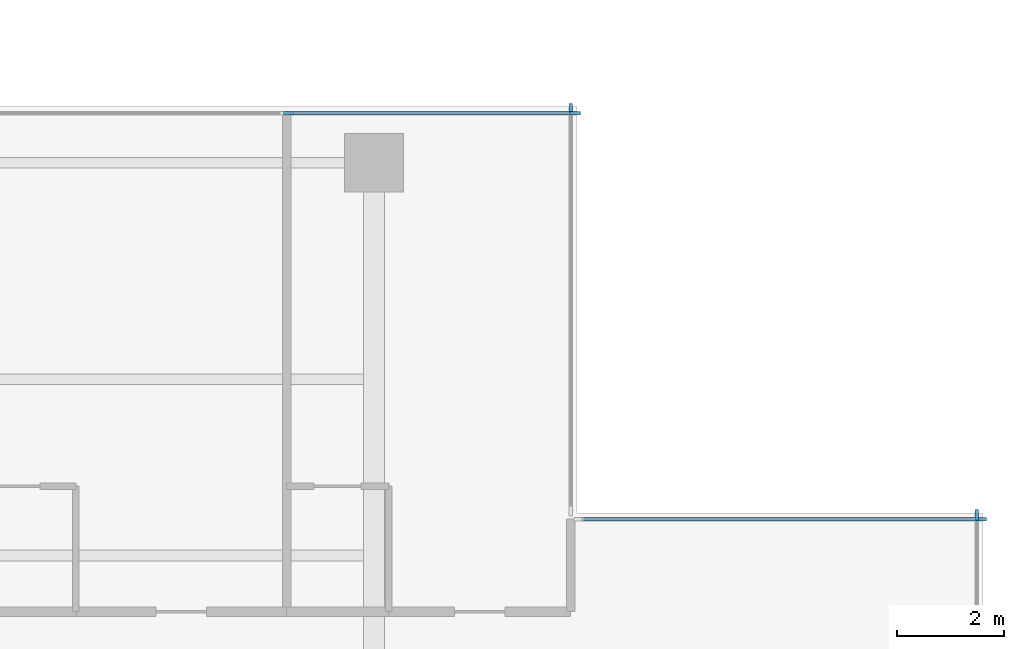
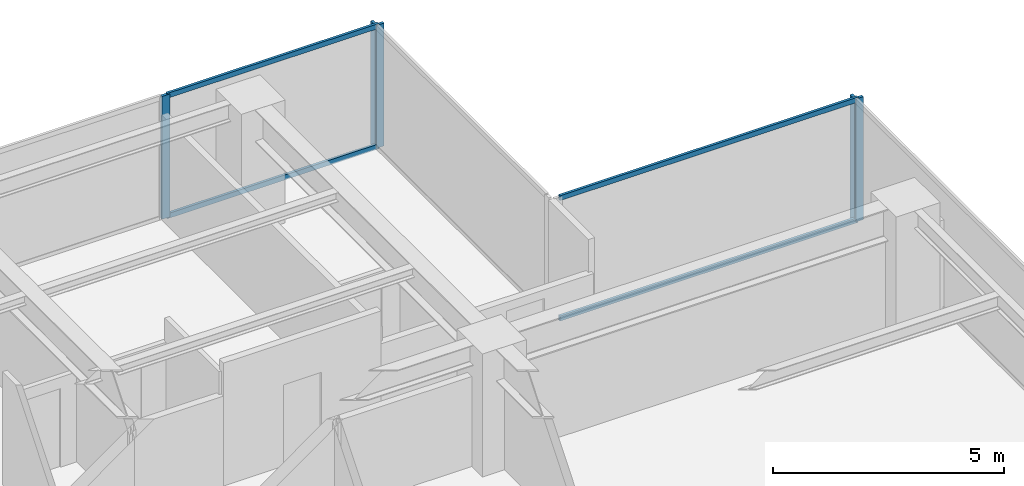
# One storey, part 5 of 14: 9 members, 4 elements without a shape of their own.
"""IFC4 building model written with IfcOpenShell, lengths in metres."""

from ifc_helpers import new_model, si_unit, direction, frame, origin, origin_2d, place, context, subcontext, project, spatial, rectangle, extrude, material, layer, layer_set, material_profile, profile_set, type_object, element, aggregate, save


model = new_model("IFC4")

# Units and contexts
model_context = context("Model", 3, precision=1e-05, world=origin(), true_north=direction((0.0, 1.0)))
body_context = subcontext(model_context, "Body", "Model", "MODEL_VIEW")
ifc_project = project(units=[si_unit("LENGTHUNIT", "METRE"), si_unit("AREAUNIT", "SQUARE_METRE"), si_unit("VOLUMEUNIT", "CUBIC_METRE"), si_unit("PLANEANGLEUNIT", "RADIAN"), si_unit("MASSUNIT", "GRAM", prefix="KILO")], contexts=[model_context])

# Site, building, storey
site_placement = place(None, origin())
site = spatial("IfcSite", under=ifc_project, at=site_placement, CompositionType="ELEMENT")
building_placement = place(site_placement, origin())
building = spatial("IfcBuilding", under=site, at=building_placement, Name="Qalmaran Belvedere Hotel", CompositionType="ELEMENT")
storey_placement = place(building_placement, frame((0.0, 0.0, 152.60009765625)))
storey = spatial("IfcBuildingStorey", under=building, at=storey_placement, Name="L38", CompositionType="ELEMENT", Elevation=152.60009765625)

# Curtain wall, member
ifc_material = material(Name="Anodised Bronze Aluminium", Category="aluminium")
ifc_layer = layer(ifc_material, 0.195068359375, Name="Anodised Bronze Aluminium")
ifc_layer_set = layer_set([ifc_layer], Name="Anodised Bronze Aluminium")
curtain_wall_type = type_object("IfcCurtainWallType", Name="CW4-TOWER-HIGHMID", PredefinedType="NOTDEFINED", material=ifc_layer_set)
curtain_wall_1_placement = place(storey_placement, origin())
curtain_wall_1 = element("IfcCurtainWall", 1, at=curtain_wall_1_placement, inside=storey, type_object=curtain_wall_type, Name="L38 Curtain Wall CW4", PredefinedType="NOTDEFINED")
ifc_material_profile_1 = material_profile(ifc_material, rectangle(XDim=0.070068359375, YDim=0.18994140625, at=origin_2d()), Name="CWM70X190")
ifc_profile_set_1 = profile_set([ifc_material_profile_1], Name="Anodised Bronze Aluminium")
member_type_1 = type_object("IfcMemberType", Name="CWM-70X190", PredefinedType="MULLION", material=ifc_profile_set_1)
member_1_placement = place(storey_placement, frame((56.080078125, 36.864990234375, 0.0), z_axis=(0.0, 0.0, 1.0), x_axis=(-1.0, 0.0, 0.0)))
member_1 = element("IfcMember", 2, at=member_1_placement, type_object=member_type_1, Name="CW4 mullion 4", PredefinedType="MULLION", context=body_context, shape_type="SweptSolid", body=[
    extrude(rectangle(XDim=0.070068359375, YDim=0.18994140625, at=origin_2d()), origin(), (0.0, 0.0, 1.0), 3.25),
])
aggregate(curtain_wall_1, [member_1])

curtain_wall_2_placement = place(storey_placement, origin())
curtain_wall_2 = element("IfcCurtainWall", 3, at=curtain_wall_2_placement, inside=storey, type_object=curtain_wall_type, Name="L38 Curtain Wall CW4", PredefinedType="NOTDEFINED")
member_2_placement = place(storey_placement, frame((56.1650390625, 36.780029296875, 0.0), z_axis=(0.0, 0.0, 1.0), x_axis=(0.0, -1.0, 0.0)))
member_2 = element("IfcMember", 4, at=member_2_placement, type_object=member_type_1, Name="CW4 mullion 1", PredefinedType="MULLION", context=body_context, shape_type="SweptSolid", body=[
    extrude(rectangle(XDim=0.070068359375, YDim=0.18994140625, at=origin_2d()), origin(), (0.0, 0.0, 1.0), 3.25),
])

curtain_wall_3_placement = place(storey_placement, origin())
curtain_wall_3 = element("IfcCurtainWall", 5, at=curtain_wall_3_placement, inside=storey, type_object=curtain_wall_type, Name="L38 Curtain Wall CW4", PredefinedType="NOTDEFINED")
member_3_placement = place(storey_placement, frame((48.47998046875, 44.465087890625, 0.0), z_axis=(0.0, 0.0, 1.0), x_axis=(-1.0, 0.0, 0.0)))
member_3 = element("IfcMember", 6, at=member_3_placement, type_object=member_type_1, Name="CW4 mullion 2", PredefinedType="MULLION", context=body_context, shape_type="SweptSolid", body=[
    extrude(rectangle(XDim=0.070068359375, YDim=0.18994140625, at=origin_2d()), origin(), (0.0, 0.0, 1.0), 3.25),
])
aggregate(curtain_wall_3, [member_3])

# Curtain wall, members
curtain_wall_4_placement = place(storey_placement, origin())
curtain_wall_4 = element("IfcCurtainWall", 7, at=curtain_wall_4_placement, inside=storey, type_object=curtain_wall_type, Name="L38 Curtain Wall CW4", PredefinedType="NOTDEFINED")
member_4_placement = place(storey_placement, frame((48.56494140625, 44.3798828125, 0.0), z_axis=(0.0, 0.0, 1.0), x_axis=(0.0, -1.0, 0.0)))
member_4 = element("IfcMember", 8, at=member_4_placement, type_object=member_type_1, Name="CW4 mullion 1", PredefinedType="MULLION", context=body_context, shape_type="SweptSolid", body=[
    extrude(rectangle(XDim=0.070068359375, YDim=0.18994140625, at=origin_2d()), origin(), (0.0, 0.0, 1.0), 3.25),
])
member_5_placement = place(storey_placement, frame((43.201416015625, 44.3798828125, 0.0), z_axis=(0.0, 0.0, 1.0), x_axis=(0.0, -1.0, 0.0)))
member_5 = element("IfcMember", 9, at=member_5_placement, type_object=member_type_1, Name="CW4 mullion 2", PredefinedType="MULLION", context=body_context, shape_type="SweptSolid", body=[
    extrude(rectangle(XDim=0.070068359375, YDim=0.18994140625, at=origin_2d()), origin(), (0.0, 0.0, 1.0), 3.25),
])

# Member
ifc_material_profile_2 = material_profile(ifc_material, rectangle(XDim=0.06494140625, YDim=0.1298828125, at=origin_2d()), Name="CWT65X130")
ifc_profile_set_2 = profile_set([ifc_material_profile_2], Name="Anodised Bronze Aluminium")
member_type_2 = type_object("IfcMemberType", Name="CWT-65X130", PredefinedType="USERDEFINED", material=ifc_profile_set_2)
member_6_placement = place(storey_placement, frame((56.1298828125, 36.780029296875, 0.032470703125), z_axis=(-1.0, 0.0, 0.0), x_axis=(0.0, -1.0, 0.0)))
member_6 = element("IfcMember", 10, at=member_6_placement, type_object=member_type_2, Name="CW4 transom 1.1", ObjectType="TRANSOM", PredefinedType="USERDEFINED", context=body_context, shape_type="SweptSolid", body=[
    extrude(rectangle(XDim=0.06494140625, YDim=0.1298828125, at=origin_2d()), origin(), (0.0, 0.0, 1.0), 7.4599609375),
])

member_7_placement = place(storey_placement, frame((56.1298828125, 36.780029296875, 3.21728515625), z_axis=(-1.0, 0.0, 0.0), x_axis=(0.0, -1.0, 0.0)))
member_7 = element("IfcMember", 11, at=member_7_placement, type_object=member_type_2, Name="CW4 transom 1.2", ObjectType="TRANSOM", PredefinedType="USERDEFINED", context=body_context, shape_type="SweptSolid", body=[
    extrude(rectangle(XDim=0.06494140625, YDim=0.1298828125, at=origin_2d()), origin(), (0.0, 0.0, 1.0), 7.4599609375),
])

aggregate(curtain_wall_2, [member_2, member_6, member_7])

member_8_placement = place(storey_placement, frame((48.530029296875, 44.3798828125, 0.032470703125), z_axis=(-1.0, 0.0, 0.0), x_axis=(0.0, -1.0, 0.0)))
member_8 = element("IfcMember", 12, at=member_8_placement, type_object=member_type_2, Name="CW4 transom 1.1", ObjectType="TRANSOM", PredefinedType="USERDEFINED", context=body_context, shape_type="SweptSolid", body=[
    extrude(rectangle(XDim=0.06494140625, YDim=0.1298828125, at=origin_2d()), origin(), (0.0, 0.0, 1.0), 5.293701171875),
])

member_9_placement = place(storey_placement, frame((48.530029296875, 44.3798828125, 3.21728515625), z_axis=(-1.0, 0.0, 0.0), x_axis=(0.0, -1.0, 0.0)))
member_9 = element("IfcMember", 13, at=member_9_placement, type_object=member_type_2, Name="CW4 transom 1.2", ObjectType="TRANSOM", PredefinedType="USERDEFINED", context=body_context, shape_type="SweptSolid", body=[
    extrude(rectangle(XDim=0.06494140625, YDim=0.1298828125, at=origin_2d()), origin(), (0.0, 0.0, 1.0), 5.293701171875),
])

aggregate(curtain_wall_4, [member_4, member_5, member_8, member_9])

save(model, "model.ifc")
